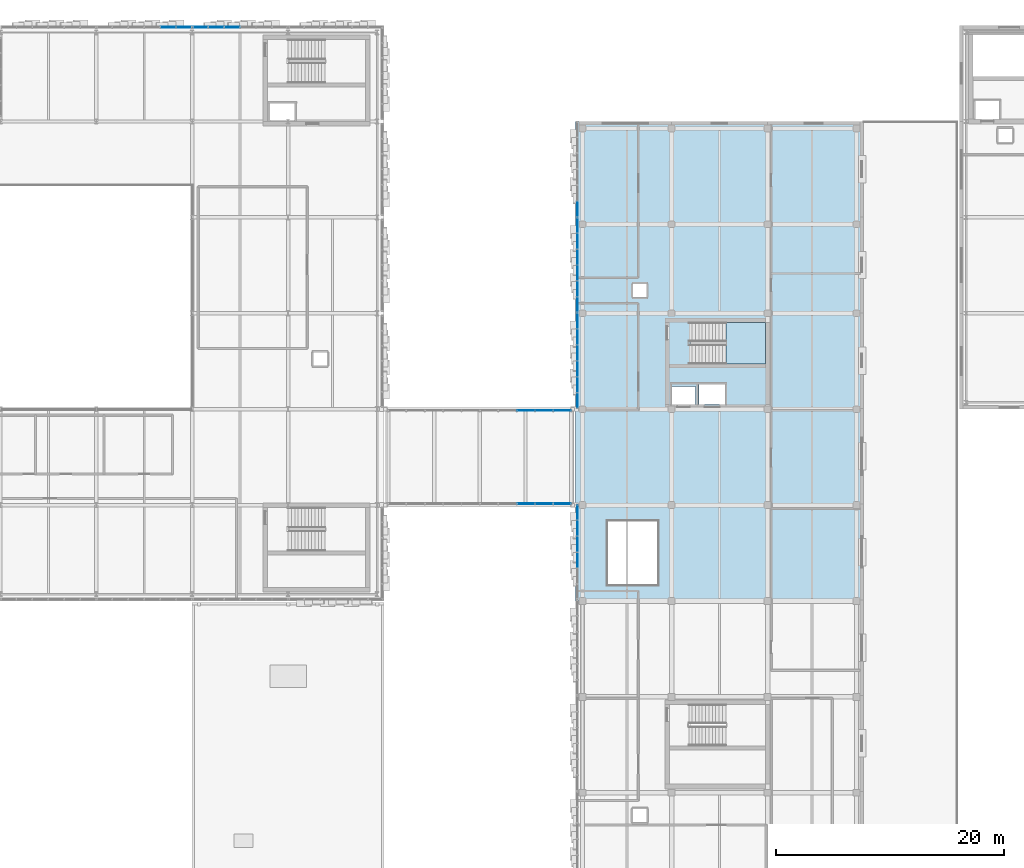
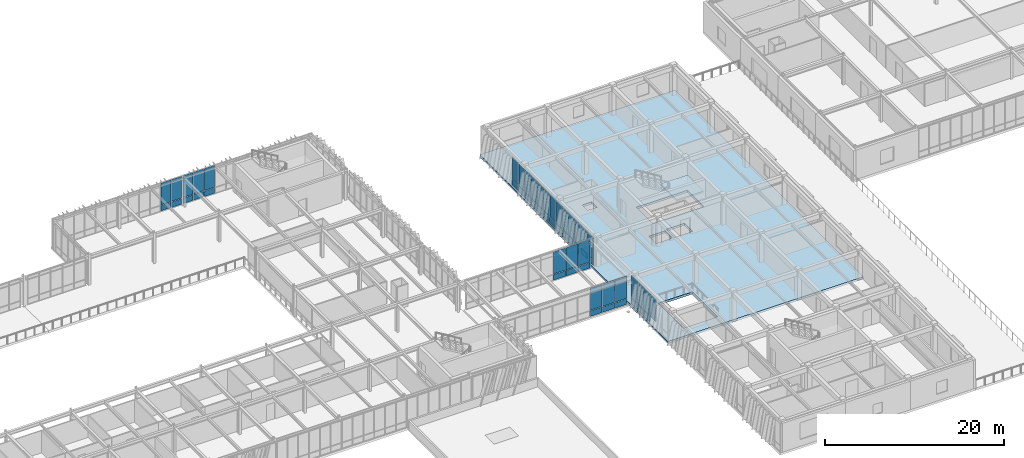
# One storey, part 91 of 127: 55 plates, 2 slabs, 9 elements without a shape of their own.
"""IFC4 building model written with IfcOpenShell, lengths in metres."""

from ifc_helpers import new_model, si_unit, direction, frame, origin, origin_2d, place, context, subcontext, project, spatial, polyline, rectangle, outline, extrude, material, layer, layer_set, type_object, element, aggregate, save


model = new_model("IFC4")

# Units and contexts
model_context = context("Model", 3, precision=1e-05, world=origin(), true_north=direction((0.0, 1.0)))
body_context = subcontext(model_context, "Body", "Model", "MODEL_VIEW")
ifc_project = project(units=[si_unit("LENGTHUNIT", "METRE"), si_unit("AREAUNIT", "SQUARE_METRE"), si_unit("VOLUMEUNIT", "CUBIC_METRE"), si_unit("PLANEANGLEUNIT", "RADIAN"), si_unit("MASSUNIT", "GRAM", prefix="KILO")], contexts=[model_context])

# Site, building, storey
site_placement = place(None, origin())
site = spatial("IfcSite", under=ifc_project, at=site_placement, CompositionType="ELEMENT")
building_placement = place(site_placement, origin())
building = spatial("IfcBuilding", under=site, at=building_placement, Name="Zayran Congress Hotel", CompositionType="ELEMENT")
storey_placement = place(building_placement, frame((0.0, 0.0, 10.800048828125)))
storey = spatial("IfcBuildingStorey", under=building, at=storey_placement, Name="L02", CompositionType="ELEMENT", Elevation=10.800048828125)

# Slab
ifc_material_1 = material(Name="Concrete C32/40", Category="concrete")
ifc_layer_1 = layer(ifc_material_1, 0.300048828125)
ifc_layer_set_1 = layer_set([ifc_layer_1], Name="Concrete C32/40")
slab_type_1 = type_object("IfcSlabType", Name="SL-FL-300", PredefinedType="FLOOR", material=ifc_layer_set_1)
slab_1_placement = place(storey_placement, frame((0.0, 0.0, -0.300048828125)))
element("IfcSlab", 1, at=slab_1_placement, inside=storey, type_object=slab_type_1, Name="SLB-V4-L02-022", PredefinedType="FLOOR", context=body_context, shape_type="SweptSolid", body=[
    extrude(outline(polyline([(109.199951171875, 67.60009765625), (134.39990234375, 67.60009765625), (134.39990234375, 109.60009765625), (109.199951171875, 109.60009765625), (109.199951171875, 67.60009765625)]), holes=[polyline([(119.239990234375, 88.360107421875), (125.800048828125, 88.360107421875), (125.800048828125, 92.0), (119.239990234375, 92.0), (119.239990234375, 88.360107421875)]), polyline([(117.60009765625, 84.800048828125), (119.699951171875, 84.800048828125), (119.699951171875, 86.39990234375), (117.60009765625, 86.39990234375), (117.60009765625, 84.800048828125)]), polyline([(120.0, 84.800048828125), (122.300048828125, 84.800048828125), (122.300048828125, 86.60009765625), (120.0, 86.60009765625), (120.0, 84.800048828125)]), polyline([(112.0, 69.0), (116.39990234375, 69.0), (116.39990234375, 74.60009765625), (112.0, 74.60009765625), (112.0, 69.0)]), polyline([(114.199951171875, 94.199951171875), (115.419921875, 94.199951171875), (115.419921875, 95.3798828125), (114.199951171875, 95.3798828125), (114.199951171875, 94.199951171875)])]), origin(), (0.0, 0.0, 1.0), 0.300048828125),
])

# Curtain wall, plates
ifc_material_2 = material(Name="Anodised aluminium and low-E insulated glass", Category="aluminium")
ifc_layer_2 = layer(ifc_material_2, 0.179931640625)
ifc_layer_set_2 = layer_set([ifc_layer_2], Name="Anodised aluminium and low-E insulated glass")
curtain_wall_type_1 = type_object("IfcCurtainWallType", Name="CW-V1N-L02-CW-22-8360-3920", PredefinedType="USERDEFINED", material=ifc_layer_set_2)
curtain_wall_1_placement = place(storey_placement, origin())
curtain_wall_1 = element("IfcCurtainWall", 2, at=curtain_wall_1_placement, inside=storey, type_object=curtain_wall_type_1, Name="CW-V1N-L02-7", ObjectType="CURTAIN WALL", PredefinedType="USERDEFINED")
ifc_material_3 = material(Name="Insulated warm bronze aluminium spandrel panel", Category="aluminium")
ifc_layer_3 = layer(ifc_material_3, 0.06005859375)
ifc_layer_set_3 = layer_set([ifc_layer_3], Name="Insulated warm bronze aluminium spandrel panel")
plate_type_1 = type_object("IfcPlateType", Name="CWP-SP-1273-750", PredefinedType="CURTAIN_PANEL", material=ifc_layer_set_3)
plate_1_placement = place(storey_placement, frame((74.86328125, 117.85009765625, 0.06005859375), z_axis=(0.0, 0.0, 1.0), x_axis=(1.0, 0.0, 0.0)))
plate_1 = element("IfcPlate", 3, at=plate_1_placement, type_object=plate_type_1, Name="CW-22 Spandrel Panel 1", PredefinedType="CURTAIN_PANEL", context=body_context, shape_type="SweptSolid", body=[
    extrude(rectangle(XDim=1.273193359375, YDim=0.06005859375, at=origin_2d()), origin(), (0.0, 0.0, 1.0), 0.75),
])
plate_2_placement = place(storey_placement, frame((73.489990234375, 117.85009765625, 0.06005859375), z_axis=(0.0, 0.0, 1.0), x_axis=(1.0, 0.0, 0.0)))
plate_2 = element("IfcPlate", 4, at=plate_2_placement, type_object=plate_type_1, Name="CW-22 Spandrel Panel 2", PredefinedType="CURTAIN_PANEL", context=body_context, shape_type="SweptSolid", body=[
    extrude(rectangle(XDim=1.313232421875, YDim=0.06005859375, at=origin_2d()), origin(), (0.0, 0.0, 1.0), 0.75),
])

ifc_layer_4 = layer(ifc_material_2, 0.179931640625)
ifc_layer_set_4 = layer_set([ifc_layer_4], Name="Anodised aluminium and low-E insulated glass")
curtain_wall_type_2 = type_object("IfcCurtainWallType", Name="CW-V1N-L02-CW-23-8360-3920", PredefinedType="USERDEFINED", material=ifc_layer_set_4)
curtain_wall_2_placement = place(storey_placement, origin())
curtain_wall_2 = element("IfcCurtainWall", 5, at=curtain_wall_2_placement, inside=storey, type_object=curtain_wall_type_2, Name="CW-V1N-L02-8", ObjectType="CURTAIN WALL", PredefinedType="USERDEFINED")
plate_3_placement = place(storey_placement, frame((79.103271484375, 117.85009765625, 0.06005859375), z_axis=(0.0, 0.0, 1.0), x_axis=(1.0, 0.0, 0.0)))
plate_3 = element("IfcPlate", 6, at=plate_3_placement, type_object=plate_type_1, Name="CW-23 Spandrel Panel 4", PredefinedType="CURTAIN_PANEL", context=body_context, shape_type="SweptSolid", body=[
    extrude(rectangle(XDim=1.313232421875, YDim=0.06005859375, at=origin_2d()), origin(), (0.0, 0.0, 1.0), 0.75),
])
plate_4_placement = place(storey_placement, frame((77.7099609375, 117.85009765625, 0.06005859375), z_axis=(0.0, 0.0, 1.0), x_axis=(1.0, 0.0, 0.0)))
plate_4 = element("IfcPlate", 7, at=plate_4_placement, type_object=plate_type_1, Name="CW-23 Spandrel Panel 5", PredefinedType="CURTAIN_PANEL", context=body_context, shape_type="SweptSolid", body=[
    extrude(rectangle(XDim=1.313232421875, YDim=0.06005859375, at=origin_2d()), origin(), (0.0, 0.0, 1.0), 0.75),
])
plate_5_placement = place(storey_placement, frame((76.336669921875, 117.85009765625, 0.06005859375), z_axis=(0.0, 0.0, 1.0), x_axis=(1.0, 0.0, 0.0)))
plate_5 = element("IfcPlate", 8, at=plate_5_placement, type_object=plate_type_1, Name="CW-23 Spandrel Panel 6", PredefinedType="CURTAIN_PANEL", context=body_context, shape_type="SweptSolid", body=[
    extrude(rectangle(XDim=1.273193359375, YDim=0.06005859375, at=origin_2d()), origin(), (0.0, 0.0, 1.0), 0.75),
])

# Plate
ifc_layer_5 = layer(ifc_material_2, 0.028076171875)
ifc_layer_set_5 = layer_set([ifc_layer_5], Name="Anodised aluminium and low-E insulated glass")
plate_type_2 = type_object("IfcPlateType", Name="CWP-GL-1273-2990", PredefinedType="CURTAIN_PANEL", material=ifc_layer_set_5)
plate_6_placement = place(storey_placement, frame((74.86328125, 117.85009765625, 0.8701171875), z_axis=(0.0, 0.0, 1.0), x_axis=(1.0, 0.0, 0.0)))
plate_6 = element("IfcPlate", 9, at=plate_6_placement, type_object=plate_type_2, Name="CW-22 Glazed Panel 1", PredefinedType="CURTAIN_PANEL", context=body_context, shape_type="SweptSolid", body=[
    extrude(rectangle(XDim=1.273193359375, YDim=0.028076171875, at=origin_2d()), origin(), (0.0, 0.0, 1.0), 2.989990234375),
])

plate_7_placement = place(storey_placement, frame((73.489990234375, 117.85009765625, 0.8701171875), z_axis=(0.0, 0.0, 1.0), x_axis=(1.0, 0.0, 0.0)))
plate_7 = element("IfcPlate", 10, at=plate_7_placement, type_object=plate_type_2, Name="CW-22 Glazed Panel 2", PredefinedType="CURTAIN_PANEL", context=body_context, shape_type="SweptSolid", body=[
    extrude(rectangle(XDim=1.313232421875, YDim=0.028076171875, at=origin_2d()), origin(), (0.0, 0.0, 1.0), 2.989990234375),
])

aggregate(curtain_wall_1, [plate_1, plate_6, plate_2, plate_7])

plate_8_placement = place(storey_placement, frame((79.103271484375, 117.85009765625, 0.8701171875), z_axis=(0.0, 0.0, 1.0), x_axis=(1.0, 0.0, 0.0)))
plate_8 = element("IfcPlate", 11, at=plate_8_placement, type_object=plate_type_2, Name="CW-23 Glazed Panel 4", PredefinedType="CURTAIN_PANEL", context=body_context, shape_type="SweptSolid", body=[
    extrude(rectangle(XDim=1.313232421875, YDim=0.028076171875, at=origin_2d()), origin(), (0.0, 0.0, 1.0), 2.989990234375),
])

plate_9_placement = place(storey_placement, frame((77.7099609375, 117.85009765625, 0.8701171875), z_axis=(0.0, 0.0, 1.0), x_axis=(1.0, 0.0, 0.0)))
plate_9 = element("IfcPlate", 12, at=plate_9_placement, type_object=plate_type_2, Name="CW-23 Glazed Panel 5", PredefinedType="CURTAIN_PANEL", context=body_context, shape_type="SweptSolid", body=[
    extrude(rectangle(XDim=1.313232421875, YDim=0.028076171875, at=origin_2d()), origin(), (0.0, 0.0, 1.0), 2.989990234375),
])

plate_10_placement = place(storey_placement, frame((76.336669921875, 117.85009765625, 0.8701171875), z_axis=(0.0, 0.0, 1.0), x_axis=(1.0, 0.0, 0.0)))
plate_10 = element("IfcPlate", 13, at=plate_10_placement, type_object=plate_type_2, Name="CW-23 Glazed Panel 6", PredefinedType="CURTAIN_PANEL", context=body_context, shape_type="SweptSolid", body=[
    extrude(rectangle(XDim=1.273193359375, YDim=0.028076171875, at=origin_2d()), origin(), (0.0, 0.0, 1.0), 2.989990234375),
])

aggregate(curtain_wall_2, [plate_3, plate_8, plate_4, plate_9, plate_5, plate_10])

# Curtain wall, plate
ifc_layer_6 = layer(ifc_material_2, 0.179931640625)
ifc_layer_set_6 = layer_set([ifc_layer_6], Name="Anodised aluminium and low-E insulated glass")
curtain_wall_type_3 = type_object("IfcCurtainWallType", Name="CW-V4W-L02-CW-52-8376-3920", PredefinedType="USERDEFINED", material=ifc_layer_set_6)
curtain_wall_3_placement = place(storey_placement, origin())
curtain_wall_3 = element("IfcCurtainWall", 14, at=curtain_wall_3_placement, inside=storey, type_object=curtain_wall_type_3, Name="CW-V4W-L02-7", ObjectType="CURTAIN WALL", PredefinedType="USERDEFINED")
ifc_layer_7 = layer(ifc_material_3, 0.06005859375)
ifc_layer_set_7 = layer_set([ifc_layer_7], Name="Insulated warm bronze aluminium spandrel panel")
plate_type_3 = type_object("IfcPlateType", Name="CWP-SP-1276-750", PredefinedType="CURTAIN_PANEL", material=ifc_layer_set_7)
plate_11_placement = place(storey_placement, frame((109.35009765625, 101.94189453125, 0.06005859375), z_axis=(0.0, 0.0, 1.0), x_axis=(0.0, 1.0, 0.0)))
plate_11 = element("IfcPlate", 15, at=plate_11_placement, type_object=plate_type_3, Name="CW-52 Spandrel Panel 6", PredefinedType="CURTAIN_PANEL", context=body_context, shape_type="SweptSolid", body=[
    extrude(rectangle(XDim=1.27587890625, YDim=0.06005859375, at=origin_2d()), origin(), (0.0, 0.0, 1.0), 0.75),
])

# Curtain wall, plates
ifc_layer_8 = layer(ifc_material_2, 0.179931640625)
ifc_layer_set_8 = layer_set([ifc_layer_8], Name="Anodised aluminium and low-E insulated glass")
curtain_wall_type_4 = type_object("IfcCurtainWallType", Name="CW-V4W-L02-CW-51-8371-3920", PredefinedType="USERDEFINED", material=ifc_layer_set_8)
curtain_wall_4_placement = place(storey_placement, origin())
curtain_wall_4 = element("IfcCurtainWall", 16, at=curtain_wall_4_placement, inside=storey, type_object=curtain_wall_type_4, Name="CW-V4W-L02-3", ObjectType="CURTAIN WALL", PredefinedType="USERDEFINED")
ifc_layer_9 = layer(ifc_material_3, 0.06005859375)
ifc_layer_set_9 = layer_set([ifc_layer_9], Name="Insulated warm bronze aluminium spandrel panel")
plate_type_4 = type_object("IfcPlateType", Name="CWP-SP-1275-750", PredefinedType="CURTAIN_PANEL", material=ifc_layer_set_9)
plate_12_placement = place(storey_placement, frame((109.35009765625, 75.352294921875, 0.06005859375), z_axis=(0.0, 0.0, 1.0), x_axis=(0.0, 1.0, 0.0)))
plate_12 = element("IfcPlate", 17, at=plate_12_placement, type_object=plate_type_4, Name="CW-51 Spandrel Panel 1", PredefinedType="CURTAIN_PANEL", context=body_context, shape_type="SweptSolid", body=[
    extrude(rectangle(XDim=1.275146484375, YDim=0.06005859375, at=origin_2d()), origin(), (0.0, 0.0, 1.0), 0.75),
])
plate_13_placement = place(storey_placement, frame((109.35009765625, 73.977294921875, 0.06005859375), z_axis=(0.0, 0.0, 1.0), x_axis=(0.0, 1.0, 0.0)))
plate_13 = element("IfcPlate", 18, at=plate_13_placement, type_object=plate_type_4, Name="CW-51 Spandrel Panel 2", PredefinedType="CURTAIN_PANEL", context=body_context, shape_type="SweptSolid", body=[
    extrude(rectangle(XDim=1.315185546875, YDim=0.06005859375, at=origin_2d()), origin(), (0.0, 0.0, 1.0), 0.75),
])
plate_14_placement = place(storey_placement, frame((109.35009765625, 72.58203125, 0.06005859375), z_axis=(0.0, 0.0, 1.0), x_axis=(0.0, 1.0, 0.0)))
plate_14 = element("IfcPlate", 19, at=plate_14_placement, type_object=plate_type_4, Name="CW-51 Spandrel Panel 3", PredefinedType="CURTAIN_PANEL", context=body_context, shape_type="SweptSolid", body=[
    extrude(rectangle(XDim=1.315185546875, YDim=0.06005859375, at=origin_2d()), origin(), (0.0, 0.0, 1.0), 0.75),
])

ifc_layer_10 = layer(ifc_material_2, 0.179931640625)
ifc_layer_set_10 = layer_set([ifc_layer_10], Name="Anodised aluminium and low-E insulated glass")
curtain_wall_type_5 = type_object("IfcCurtainWallType", Name="CW-V4W-L02-CW-53-8371-3920", PredefinedType="USERDEFINED", material=ifc_layer_set_10)
curtain_wall_5_placement = place(storey_placement, origin())
curtain_wall_5 = element("IfcCurtainWall", 20, at=curtain_wall_5_placement, inside=storey, type_object=curtain_wall_type_5, Name="CW-V4W-L02-5", ObjectType="CURTAIN WALL", PredefinedType="USERDEFINED")
plate_15_placement = place(storey_placement, frame((109.35009765625, 92.114501953125, 0.06005859375), z_axis=(0.0, 0.0, 1.0), x_axis=(0.0, 1.0, 0.0)))
plate_15 = element("IfcPlate", 21, at=plate_15_placement, type_object=plate_type_4, Name="CW-53 Spandrel Panel 1", PredefinedType="CURTAIN_PANEL", context=body_context, shape_type="SweptSolid", body=[
    extrude(rectangle(XDim=1.275146484375, YDim=0.06005859375, at=origin_2d()), origin(), (0.0, 0.0, 1.0), 0.75),
])
plate_16_placement = place(storey_placement, frame((109.35009765625, 90.7392578125, 0.06005859375), z_axis=(0.0, 0.0, 1.0), x_axis=(0.0, 1.0, 0.0)))
plate_16 = element("IfcPlate", 22, at=plate_16_placement, type_object=plate_type_4, Name="CW-53 Spandrel Panel 2", PredefinedType="CURTAIN_PANEL", context=body_context, shape_type="SweptSolid", body=[
    extrude(rectangle(XDim=1.315185546875, YDim=0.06005859375, at=origin_2d()), origin(), (0.0, 0.0, 1.0), 0.75),
])
plate_17_placement = place(storey_placement, frame((109.35009765625, 89.343994140625, 0.06005859375), z_axis=(0.0, 0.0, 1.0), x_axis=(0.0, 1.0, 0.0)))
plate_17 = element("IfcPlate", 23, at=plate_17_placement, type_object=plate_type_4, Name="CW-53 Spandrel Panel 3", PredefinedType="CURTAIN_PANEL", context=body_context, shape_type="SweptSolid", body=[
    extrude(rectangle(XDim=1.315185546875, YDim=0.06005859375, at=origin_2d()), origin(), (0.0, 0.0, 1.0), 0.75),
])
plate_18_placement = place(storey_placement, frame((109.35009765625, 87.948974609375, 0.06005859375), z_axis=(0.0, 0.0, 1.0), x_axis=(0.0, 1.0, 0.0)))
plate_18 = element("IfcPlate", 24, at=plate_18_placement, type_object=plate_type_4, Name="CW-53 Spandrel Panel 4", PredefinedType="CURTAIN_PANEL", context=body_context, shape_type="SweptSolid", body=[
    extrude(rectangle(XDim=1.315185546875, YDim=0.06005859375, at=origin_2d()), origin(), (0.0, 0.0, 1.0), 0.75),
])
plate_19_placement = place(storey_placement, frame((109.35009765625, 86.5537109375, 0.06005859375), z_axis=(0.0, 0.0, 1.0), x_axis=(0.0, 1.0, 0.0)))
plate_19 = element("IfcPlate", 25, at=plate_19_placement, type_object=plate_type_4, Name="CW-53 Spandrel Panel 5", PredefinedType="CURTAIN_PANEL", context=body_context, shape_type="SweptSolid", body=[
    extrude(rectangle(XDim=1.315185546875, YDim=0.06005859375, at=origin_2d()), origin(), (0.0, 0.0, 1.0), 0.75),
])
plate_20_placement = place(storey_placement, frame((109.35009765625, 85.1787109375, 0.06005859375), z_axis=(0.0, 0.0, 1.0), x_axis=(0.0, 1.0, 0.0)))
plate_20 = element("IfcPlate", 26, at=plate_20_placement, type_object=plate_type_4, Name="CW-53 Spandrel Panel 6", PredefinedType="CURTAIN_PANEL", context=body_context, shape_type="SweptSolid", body=[
    extrude(rectangle(XDim=1.275146484375, YDim=0.06005859375, at=origin_2d()), origin(), (0.0, 0.0, 1.0), 0.75),
])

ifc_layer_11 = layer(ifc_material_2, 0.179931640625)
ifc_layer_set_11 = layer_set([ifc_layer_11], Name="Anodised aluminium and low-E insulated glass")
curtain_wall_type_6 = type_object("IfcCurtainWallType", Name="CW-V4W-L02-CW-51-8372-3920", PredefinedType="USERDEFINED", material=ifc_layer_set_11)
curtain_wall_6_placement = place(storey_placement, origin())
curtain_wall_6 = element("IfcCurtainWall", 27, at=curtain_wall_6_placement, inside=storey, type_object=curtain_wall_type_6, Name="CW-V4W-L02-6", ObjectType="CURTAIN WALL", PredefinedType="USERDEFINED")
plate_21_placement = place(storey_placement, frame((109.35009765625, 100.496337890625, 0.06005859375), z_axis=(0.0, 0.0, 1.0), x_axis=(0.0, 1.0, 0.0)))
plate_21 = element("IfcPlate", 28, at=plate_21_placement, type_object=plate_type_4, Name="CW-51 Spandrel Panel 1", PredefinedType="CURTAIN_PANEL", context=body_context, shape_type="SweptSolid", body=[
    extrude(rectangle(XDim=1.275390625, YDim=0.06005859375, at=origin_2d()), origin(), (0.0, 0.0, 1.0), 0.75),
])
plate_22_placement = place(storey_placement, frame((109.35009765625, 99.12109375, 0.06005859375), z_axis=(0.0, 0.0, 1.0), x_axis=(0.0, 1.0, 0.0)))
plate_22 = element("IfcPlate", 29, at=plate_22_placement, type_object=plate_type_4, Name="CW-51 Spandrel Panel 2", PredefinedType="CURTAIN_PANEL", context=body_context, shape_type="SweptSolid", body=[
    extrude(rectangle(XDim=1.315185546875, YDim=0.06005859375, at=origin_2d()), origin(), (0.0, 0.0, 1.0), 0.75),
])
plate_23_placement = place(storey_placement, frame((109.35009765625, 97.7255859375, 0.06005859375), z_axis=(0.0, 0.0, 1.0), x_axis=(0.0, 1.0, 0.0)))
plate_23 = element("IfcPlate", 30, at=plate_23_placement, type_object=plate_type_4, Name="CW-51 Spandrel Panel 3", PredefinedType="CURTAIN_PANEL", context=body_context, shape_type="SweptSolid", body=[
    extrude(rectangle(XDim=1.315185546875, YDim=0.06005859375, at=origin_2d()), origin(), (0.0, 0.0, 1.0), 0.75),
])
plate_24_placement = place(storey_placement, frame((109.35009765625, 96.330322265625, 0.06005859375), z_axis=(0.0, 0.0, 1.0), x_axis=(0.0, 1.0, 0.0)))
plate_24 = element("IfcPlate", 31, at=plate_24_placement, type_object=plate_type_4, Name="CW-51 Spandrel Panel 4", PredefinedType="CURTAIN_PANEL", context=body_context, shape_type="SweptSolid", body=[
    extrude(rectangle(XDim=1.315185546875, YDim=0.06005859375, at=origin_2d()), origin(), (0.0, 0.0, 1.0), 0.75),
])
plate_25_placement = place(storey_placement, frame((109.35009765625, 94.93505859375, 0.06005859375), z_axis=(0.0, 0.0, 1.0), x_axis=(0.0, 1.0, 0.0)))
plate_25 = element("IfcPlate", 32, at=plate_25_placement, type_object=plate_type_4, Name="CW-51 Spandrel Panel 5", PredefinedType="CURTAIN_PANEL", context=body_context, shape_type="SweptSolid", body=[
    extrude(rectangle(XDim=1.315185546875, YDim=0.06005859375, at=origin_2d()), origin(), (0.0, 0.0, 1.0), 0.75),
])
plate_26_placement = place(storey_placement, frame((109.35009765625, 93.559814453125, 0.06005859375), z_axis=(0.0, 0.0, 1.0), x_axis=(0.0, 1.0, 0.0)))
plate_26 = element("IfcPlate", 33, at=plate_26_placement, type_object=plate_type_4, Name="CW-51 Spandrel Panel 6", PredefinedType="CURTAIN_PANEL", context=body_context, shape_type="SweptSolid", body=[
    extrude(rectangle(XDim=1.275390625, YDim=0.06005859375, at=origin_2d()), origin(), (0.0, 0.0, 1.0), 0.75),
])

# Plate
ifc_layer_12 = layer(ifc_material_2, 0.028076171875)
ifc_layer_set_12 = layer_set([ifc_layer_12], Name="Anodised aluminium and low-E insulated glass")
plate_type_5 = type_object("IfcPlateType", Name="CWP-GL-1276-2990", PredefinedType="CURTAIN_PANEL", material=ifc_layer_set_12)
plate_27_placement = place(storey_placement, frame((109.35009765625, 101.94189453125, 0.8701171875), z_axis=(0.0, 0.0, 1.0), x_axis=(0.0, 1.0, 0.0)))
plate_27 = element("IfcPlate", 34, at=plate_27_placement, type_object=plate_type_5, Name="CW-52 Glazed Panel 6", PredefinedType="CURTAIN_PANEL", context=body_context, shape_type="SweptSolid", body=[
    extrude(rectangle(XDim=1.27587890625, YDim=0.028076171875, at=origin_2d()), origin(), (0.0, 0.0, 1.0), 2.989990234375),
])

aggregate(curtain_wall_3, [plate_11, plate_27])

ifc_layer_13 = layer(ifc_material_2, 0.028076171875)
ifc_layer_set_13 = layer_set([ifc_layer_13], Name="Anodised aluminium and low-E insulated glass")
plate_type_6 = type_object("IfcPlateType", Name="CWP-GL-1275-2990", PredefinedType="CURTAIN_PANEL", material=ifc_layer_set_13)
plate_28_placement = place(storey_placement, frame((109.35009765625, 75.352294921875, 0.8701171875), z_axis=(0.0, 0.0, 1.0), x_axis=(0.0, 1.0, 0.0)))
plate_28 = element("IfcPlate", 35, at=plate_28_placement, type_object=plate_type_6, Name="CW-51 Glazed Panel 1", PredefinedType="CURTAIN_PANEL", context=body_context, shape_type="SweptSolid", body=[
    extrude(rectangle(XDim=1.275146484375, YDim=0.028076171875, at=origin_2d()), origin(), (0.0, 0.0, 1.0), 2.989990234375),
])

plate_29_placement = place(storey_placement, frame((109.35009765625, 73.977294921875, 0.8701171875), z_axis=(0.0, 0.0, 1.0), x_axis=(0.0, 1.0, 0.0)))
plate_29 = element("IfcPlate", 36, at=plate_29_placement, type_object=plate_type_6, Name="CW-51 Glazed Panel 2", PredefinedType="CURTAIN_PANEL", context=body_context, shape_type="SweptSolid", body=[
    extrude(rectangle(XDim=1.315185546875, YDim=0.028076171875, at=origin_2d()), origin(), (0.0, 0.0, 1.0), 2.989990234375),
])

plate_30_placement = place(storey_placement, frame((109.35009765625, 72.58203125, 0.8701171875), z_axis=(0.0, 0.0, 1.0), x_axis=(0.0, 1.0, 0.0)))
plate_30 = element("IfcPlate", 37, at=plate_30_placement, type_object=plate_type_6, Name="CW-51 Glazed Panel 3", PredefinedType="CURTAIN_PANEL", context=body_context, shape_type="SweptSolid", body=[
    extrude(rectangle(XDim=1.315185546875, YDim=0.028076171875, at=origin_2d()), origin(), (0.0, 0.0, 1.0), 2.989990234375),
])

plate_31_placement = place(storey_placement, frame((109.35009765625, 71.18701171875, 0.8701171875), z_axis=(0.0, 0.0, 1.0), x_axis=(0.0, 1.0, 0.0)))
plate_31 = element("IfcPlate", 38, at=plate_31_placement, type_object=plate_type_6, Name="CW-51 Glazed Panel 4", PredefinedType="CURTAIN_PANEL", context=body_context, shape_type="SweptSolid", body=[
    extrude(rectangle(XDim=1.315185546875, YDim=0.028076171875, at=origin_2d()), origin(), (0.0, 0.0, 1.0), 2.989990234375),
])

aggregate(curtain_wall_4, [plate_12, plate_28, plate_13, plate_29, plate_14, plate_30, plate_31])

plate_32_placement = place(storey_placement, frame((109.35009765625, 92.114501953125, 0.8701171875), z_axis=(0.0, 0.0, 1.0), x_axis=(0.0, 1.0, 0.0)))
plate_32 = element("IfcPlate", 39, at=plate_32_placement, type_object=plate_type_6, Name="CW-53 Glazed Panel 1", PredefinedType="CURTAIN_PANEL", context=body_context, shape_type="SweptSolid", body=[
    extrude(rectangle(XDim=1.275146484375, YDim=0.028076171875, at=origin_2d()), origin(), (0.0, 0.0, 1.0), 2.989990234375),
])

plate_33_placement = place(storey_placement, frame((109.35009765625, 90.7392578125, 0.8701171875), z_axis=(0.0, 0.0, 1.0), x_axis=(0.0, 1.0, 0.0)))
plate_33 = element("IfcPlate", 40, at=plate_33_placement, type_object=plate_type_6, Name="CW-53 Glazed Panel 2", PredefinedType="CURTAIN_PANEL", context=body_context, shape_type="SweptSolid", body=[
    extrude(rectangle(XDim=1.315185546875, YDim=0.028076171875, at=origin_2d()), origin(), (0.0, 0.0, 1.0), 2.989990234375),
])

plate_34_placement = place(storey_placement, frame((109.35009765625, 89.343994140625, 0.8701171875), z_axis=(0.0, 0.0, 1.0), x_axis=(0.0, 1.0, 0.0)))
plate_34 = element("IfcPlate", 41, at=plate_34_placement, type_object=plate_type_6, Name="CW-53 Glazed Panel 3", PredefinedType="CURTAIN_PANEL", context=body_context, shape_type="SweptSolid", body=[
    extrude(rectangle(XDim=1.315185546875, YDim=0.028076171875, at=origin_2d()), origin(), (0.0, 0.0, 1.0), 2.989990234375),
])

plate_35_placement = place(storey_placement, frame((109.35009765625, 87.948974609375, 0.8701171875), z_axis=(0.0, 0.0, 1.0), x_axis=(0.0, 1.0, 0.0)))
plate_35 = element("IfcPlate", 42, at=plate_35_placement, type_object=plate_type_6, Name="CW-53 Glazed Panel 4", PredefinedType="CURTAIN_PANEL", context=body_context, shape_type="SweptSolid", body=[
    extrude(rectangle(XDim=1.315185546875, YDim=0.028076171875, at=origin_2d()), origin(), (0.0, 0.0, 1.0), 2.989990234375),
])

plate_36_placement = place(storey_placement, frame((109.35009765625, 86.5537109375, 0.8701171875), z_axis=(0.0, 0.0, 1.0), x_axis=(0.0, 1.0, 0.0)))
plate_36 = element("IfcPlate", 43, at=plate_36_placement, type_object=plate_type_6, Name="CW-53 Glazed Panel 5", PredefinedType="CURTAIN_PANEL", context=body_context, shape_type="SweptSolid", body=[
    extrude(rectangle(XDim=1.315185546875, YDim=0.028076171875, at=origin_2d()), origin(), (0.0, 0.0, 1.0), 2.989990234375),
])

plate_37_placement = place(storey_placement, frame((109.35009765625, 85.1787109375, 0.8701171875), z_axis=(0.0, 0.0, 1.0), x_axis=(0.0, 1.0, 0.0)))
plate_37 = element("IfcPlate", 44, at=plate_37_placement, type_object=plate_type_6, Name="CW-53 Glazed Panel 6", PredefinedType="CURTAIN_PANEL", context=body_context, shape_type="SweptSolid", body=[
    extrude(rectangle(XDim=1.275146484375, YDim=0.028076171875, at=origin_2d()), origin(), (0.0, 0.0, 1.0), 2.989990234375),
])

aggregate(curtain_wall_5, [plate_15, plate_32, plate_16, plate_33, plate_17, plate_34, plate_18, plate_35, plate_19, plate_36, plate_20, plate_37])

plate_38_placement = place(storey_placement, frame((109.35009765625, 100.496337890625, 0.8701171875), z_axis=(0.0, 0.0, 1.0), x_axis=(0.0, 1.0, 0.0)))
plate_38 = element("IfcPlate", 45, at=plate_38_placement, type_object=plate_type_6, Name="CW-51 Glazed Panel 1", PredefinedType="CURTAIN_PANEL", context=body_context, shape_type="SweptSolid", body=[
    extrude(rectangle(XDim=1.275390625, YDim=0.028076171875, at=origin_2d()), origin(), (0.0, 0.0, 1.0), 2.989990234375),
])

plate_39_placement = place(storey_placement, frame((109.35009765625, 99.12109375, 0.8701171875), z_axis=(0.0, 0.0, 1.0), x_axis=(0.0, 1.0, 0.0)))
plate_39 = element("IfcPlate", 46, at=plate_39_placement, type_object=plate_type_6, Name="CW-51 Glazed Panel 2", PredefinedType="CURTAIN_PANEL", context=body_context, shape_type="SweptSolid", body=[
    extrude(rectangle(XDim=1.315185546875, YDim=0.028076171875, at=origin_2d()), origin(), (0.0, 0.0, 1.0), 2.989990234375),
])

plate_40_placement = place(storey_placement, frame((109.35009765625, 97.7255859375, 0.8701171875), z_axis=(0.0, 0.0, 1.0), x_axis=(0.0, 1.0, 0.0)))
plate_40 = element("IfcPlate", 47, at=plate_40_placement, type_object=plate_type_6, Name="CW-51 Glazed Panel 3", PredefinedType="CURTAIN_PANEL", context=body_context, shape_type="SweptSolid", body=[
    extrude(rectangle(XDim=1.315185546875, YDim=0.028076171875, at=origin_2d()), origin(), (0.0, 0.0, 1.0), 2.989990234375),
])

plate_41_placement = place(storey_placement, frame((109.35009765625, 96.330322265625, 0.8701171875), z_axis=(0.0, 0.0, 1.0), x_axis=(0.0, 1.0, 0.0)))
plate_41 = element("IfcPlate", 48, at=plate_41_placement, type_object=plate_type_6, Name="CW-51 Glazed Panel 4", PredefinedType="CURTAIN_PANEL", context=body_context, shape_type="SweptSolid", body=[
    extrude(rectangle(XDim=1.315185546875, YDim=0.028076171875, at=origin_2d()), origin(), (0.0, 0.0, 1.0), 2.989990234375),
])

plate_42_placement = place(storey_placement, frame((109.35009765625, 94.93505859375, 0.8701171875), z_axis=(0.0, 0.0, 1.0), x_axis=(0.0, 1.0, 0.0)))
plate_42 = element("IfcPlate", 49, at=plate_42_placement, type_object=plate_type_6, Name="CW-51 Glazed Panel 5", PredefinedType="CURTAIN_PANEL", context=body_context, shape_type="SweptSolid", body=[
    extrude(rectangle(XDim=1.315185546875, YDim=0.028076171875, at=origin_2d()), origin(), (0.0, 0.0, 1.0), 2.989990234375),
])

plate_43_placement = place(storey_placement, frame((109.35009765625, 93.559814453125, 0.8701171875), z_axis=(0.0, 0.0, 1.0), x_axis=(0.0, 1.0, 0.0)))
plate_43 = element("IfcPlate", 50, at=plate_43_placement, type_object=plate_type_6, Name="CW-51 Glazed Panel 6", PredefinedType="CURTAIN_PANEL", context=body_context, shape_type="SweptSolid", body=[
    extrude(rectangle(XDim=1.275390625, YDim=0.028076171875, at=origin_2d()), origin(), (0.0, 0.0, 1.0), 2.989990234375),
])

aggregate(curtain_wall_6, [plate_21, plate_38, plate_22, plate_39, plate_23, plate_40, plate_24, plate_41, plate_25, plate_42, plate_26, plate_43])

# Curtain wall, plates
ifc_layer_14 = layer(ifc_material_2, 0.179931640625)
ifc_layer_set_14 = layer_set([ifc_layer_14], Name="Anodised aluminium and low-E insulated glass")
curtain_wall_type_7 = type_object("IfcCurtainWallType", Name="CW-BR1-L02-CW-BR1-16100-3960", PredefinedType="USERDEFINED", material=ifc_layer_set_14)
curtain_wall_7_placement = place(storey_placement, origin())
curtain_wall_7 = element("IfcCurtainWall", 51, at=curtain_wall_7_placement, inside=storey, type_object=curtain_wall_type_7, Name="CW-BR1S-L02", ObjectType="CURTAIN WALL", PredefinedType="USERDEFINED")
ifc_layer_15 = layer(ifc_material_3, 0.06005859375)
ifc_layer_set_15 = layer_set([ifc_layer_15], Name="Insulated warm bronze aluminium spandrel panel")
plate_type_7 = type_object("IfcPlateType", Name="CWP-SP-1490-750", PredefinedType="CURTAIN_PANEL", material=ifc_layer_set_15)
plate_44_placement = place(storey_placement, frame((104.824951171875, 76.1201171875, 0.06005859375), z_axis=(0.0, 0.0, 1.0), x_axis=(1.0, 0.0, 0.0)))
plate_44 = element("IfcPlate", 52, at=plate_44_placement, type_object=plate_type_7, Name="CW-BR1 Spandrel Panel 8", PredefinedType="CURTAIN_PANEL", context=body_context, shape_type="SweptSolid", body=[
    extrude(rectangle(XDim=1.530029296875, YDim=0.06005859375, at=origin_2d()), origin(), (0.0, 0.0, 1.0), 0.75),
])
plate_45_placement = place(storey_placement, frame((106.43505859375, 76.1201171875, 0.06005859375), z_axis=(0.0, 0.0, 1.0), x_axis=(1.0, 0.0, 0.0)))
plate_45 = element("IfcPlate", 53, at=plate_45_placement, type_object=plate_type_7, Name="CW-BR1 Spandrel Panel 9", PredefinedType="CURTAIN_PANEL", context=body_context, shape_type="SweptSolid", body=[
    extrude(rectangle(XDim=1.530029296875, YDim=0.06005859375, at=origin_2d()), origin(), (0.0, 0.0, 1.0), 0.75),
])
plate_46_placement = place(storey_placement, frame((108.02490234375, 76.1201171875, 0.06005859375), z_axis=(0.0, 0.0, 1.0), x_axis=(1.0, 0.0, 0.0)))
plate_46 = element("IfcPlate", 54, at=plate_46_placement, type_object=plate_type_7, Name="CW-BR1 Spandrel Panel 10", PredefinedType="CURTAIN_PANEL", context=body_context, shape_type="SweptSolid", body=[
    extrude(rectangle(XDim=1.489990234375, YDim=0.06005859375, at=origin_2d()), origin(), (0.0, 0.0, 1.0), 0.75),
])

curtain_wall_8_placement = place(storey_placement, origin())
curtain_wall_8 = element("IfcCurtainWall", 55, at=curtain_wall_8_placement, inside=storey, type_object=curtain_wall_type_7, Name="CW-BR1N-L02", ObjectType="CURTAIN WALL", PredefinedType="USERDEFINED")
plate_47_placement = place(storey_placement, frame((108.02490234375, 84.280029296875, 0.06005859375), z_axis=(0.0, 0.0, 1.0), x_axis=(1.0, 0.0, 0.0)))
plate_47 = element("IfcPlate", 56, at=plate_47_placement, type_object=plate_type_7, Name="CW-BR1 Spandrel Panel 1", PredefinedType="CURTAIN_PANEL", context=body_context, shape_type="SweptSolid", body=[
    extrude(rectangle(XDim=1.489990234375, YDim=0.06005859375, at=origin_2d()), origin(), (0.0, 0.0, 1.0), 0.75),
])
plate_48_placement = place(storey_placement, frame((106.43505859375, 84.280029296875, 0.06005859375), z_axis=(0.0, 0.0, 1.0), x_axis=(1.0, 0.0, 0.0)))
plate_48 = element("IfcPlate", 57, at=plate_48_placement, type_object=plate_type_7, Name="CW-BR1 Spandrel Panel 2", PredefinedType="CURTAIN_PANEL", context=body_context, shape_type="SweptSolid", body=[
    extrude(rectangle(XDim=1.530029296875, YDim=0.06005859375, at=origin_2d()), origin(), (0.0, 0.0, 1.0), 0.75),
])
plate_49_placement = place(storey_placement, frame((104.824951171875, 84.280029296875, 0.06005859375), z_axis=(0.0, 0.0, 1.0), x_axis=(1.0, 0.0, 0.0)))
plate_49 = element("IfcPlate", 58, at=plate_49_placement, type_object=plate_type_7, Name="CW-BR1 Spandrel Panel 3", PredefinedType="CURTAIN_PANEL", context=body_context, shape_type="SweptSolid", body=[
    extrude(rectangle(XDim=1.530029296875, YDim=0.06005859375, at=origin_2d()), origin(), (0.0, 0.0, 1.0), 0.75),
])

# Plate
ifc_layer_16 = layer(ifc_material_2, 0.028076171875)
ifc_layer_set_16 = layer_set([ifc_layer_16], Name="Anodised aluminium and low-E insulated glass")
plate_type_8 = type_object("IfcPlateType", Name="CWP-GL-1490-3030", PredefinedType="CURTAIN_PANEL", material=ifc_layer_set_16)
plate_50_placement = place(storey_placement, frame((104.824951171875, 76.1201171875, 0.8701171875), z_axis=(0.0, 0.0, 1.0), x_axis=(1.0, 0.0, 0.0)))
plate_50 = element("IfcPlate", 59, at=plate_50_placement, type_object=plate_type_8, Name="CW-BR1 Glazed Panel 8", PredefinedType="CURTAIN_PANEL", context=body_context, shape_type="SweptSolid", body=[
    extrude(rectangle(XDim=1.530029296875, YDim=0.028076171875, at=origin_2d()), origin(), (0.0, 0.0, 1.0), 3.030029296875),
])

plate_51_placement = place(storey_placement, frame((106.43505859375, 76.1201171875, 0.8701171875), z_axis=(0.0, 0.0, 1.0), x_axis=(1.0, 0.0, 0.0)))
plate_51 = element("IfcPlate", 60, at=plate_51_placement, type_object=plate_type_8, Name="CW-BR1 Glazed Panel 9", PredefinedType="CURTAIN_PANEL", context=body_context, shape_type="SweptSolid", body=[
    extrude(rectangle(XDim=1.530029296875, YDim=0.028076171875, at=origin_2d()), origin(), (0.0, 0.0, 1.0), 3.030029296875),
])

plate_52_placement = place(storey_placement, frame((108.02490234375, 76.1201171875, 0.8701171875), z_axis=(0.0, 0.0, 1.0), x_axis=(1.0, 0.0, 0.0)))
plate_52 = element("IfcPlate", 61, at=plate_52_placement, type_object=plate_type_8, Name="CW-BR1 Glazed Panel 10", PredefinedType="CURTAIN_PANEL", context=body_context, shape_type="SweptSolid", body=[
    extrude(rectangle(XDim=1.489990234375, YDim=0.028076171875, at=origin_2d()), origin(), (0.0, 0.0, 1.0), 3.030029296875),
])

aggregate(curtain_wall_7, [plate_44, plate_50, plate_45, plate_51, plate_46, plate_52])

plate_53_placement = place(storey_placement, frame((108.02490234375, 84.280029296875, 0.8701171875), z_axis=(0.0, 0.0, 1.0), x_axis=(1.0, 0.0, 0.0)))
plate_53 = element("IfcPlate", 62, at=plate_53_placement, type_object=plate_type_8, Name="CW-BR1 Glazed Panel 1", PredefinedType="CURTAIN_PANEL", context=body_context, shape_type="SweptSolid", body=[
    extrude(rectangle(XDim=1.489990234375, YDim=0.028076171875, at=origin_2d()), origin(), (0.0, 0.0, 1.0), 3.030029296875),
])

plate_54_placement = place(storey_placement, frame((106.43505859375, 84.280029296875, 0.8701171875), z_axis=(0.0, 0.0, 1.0), x_axis=(1.0, 0.0, 0.0)))
plate_54 = element("IfcPlate", 63, at=plate_54_placement, type_object=plate_type_8, Name="CW-BR1 Glazed Panel 2", PredefinedType="CURTAIN_PANEL", context=body_context, shape_type="SweptSolid", body=[
    extrude(rectangle(XDim=1.530029296875, YDim=0.028076171875, at=origin_2d()), origin(), (0.0, 0.0, 1.0), 3.030029296875),
])

plate_55_placement = place(storey_placement, frame((104.824951171875, 84.280029296875, 0.8701171875), z_axis=(0.0, 0.0, 1.0), x_axis=(1.0, 0.0, 0.0)))
plate_55 = element("IfcPlate", 64, at=plate_55_placement, type_object=plate_type_8, Name="CW-BR1 Glazed Panel 3", PredefinedType="CURTAIN_PANEL", context=body_context, shape_type="SweptSolid", body=[
    extrude(rectangle(XDim=1.530029296875, YDim=0.028076171875, at=origin_2d()), origin(), (0.0, 0.0, 1.0), 3.030029296875),
])

aggregate(curtain_wall_8, [plate_47, plate_53, plate_48, plate_54, plate_49, plate_55])

# Stair, slab
stair_type = type_object("IfcStairType", Name="TP-STR-1700-42", PredefinedType="USERDEFINED", material=ifc_material_1)
stair_placement = place(storey_placement, origin())
stair = element("IfcStair", 65, at=stair_placement, inside=storey, type_object=stair_type, Name="L02 ST-07", ObjectType="TWO_RETURN_STAIR", PredefinedType="USERDEFINED")
ifc_layer_17 = layer(ifc_material_1, 0.199951171875)
ifc_layer_set_17 = layer_set([ifc_layer_17], Name="Concrete C32/40")
slab_type_2 = type_object("IfcSlabType", Name="TP-LND-1700", PredefinedType="LANDING", material=ifc_layer_set_17)
slab_2_placement = place(storey_placement, frame((0.0, 0.0, 1.89990234375)))
slab_2 = element("IfcSlab", 66, at=slab_2_placement, type_object=slab_type_2, Name="ST-07 landing 1", PredefinedType="LANDING", context=body_context, shape_type="SweptSolid", body=[
    extrude(outline(polyline([(122.344970703125, 88.360107421875), (125.800048828125, 88.360107421875), (125.800048828125, 92.0), (122.344970703125, 92.0), (122.344970703125, 88.360107421875)])), origin(), (0.0, 0.0, 1.0), 0.199951171875),
])
aggregate(stair, [slab_2])

save(model, "model.ifc")
